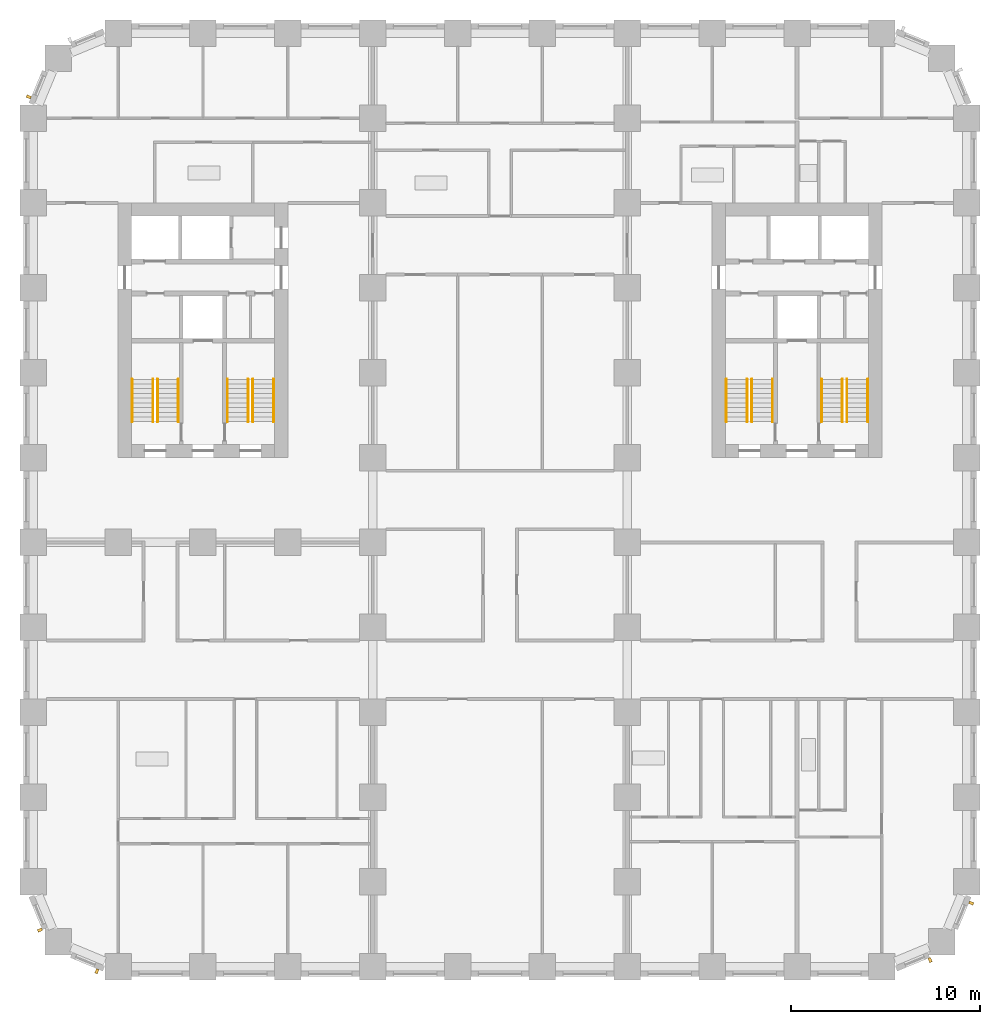
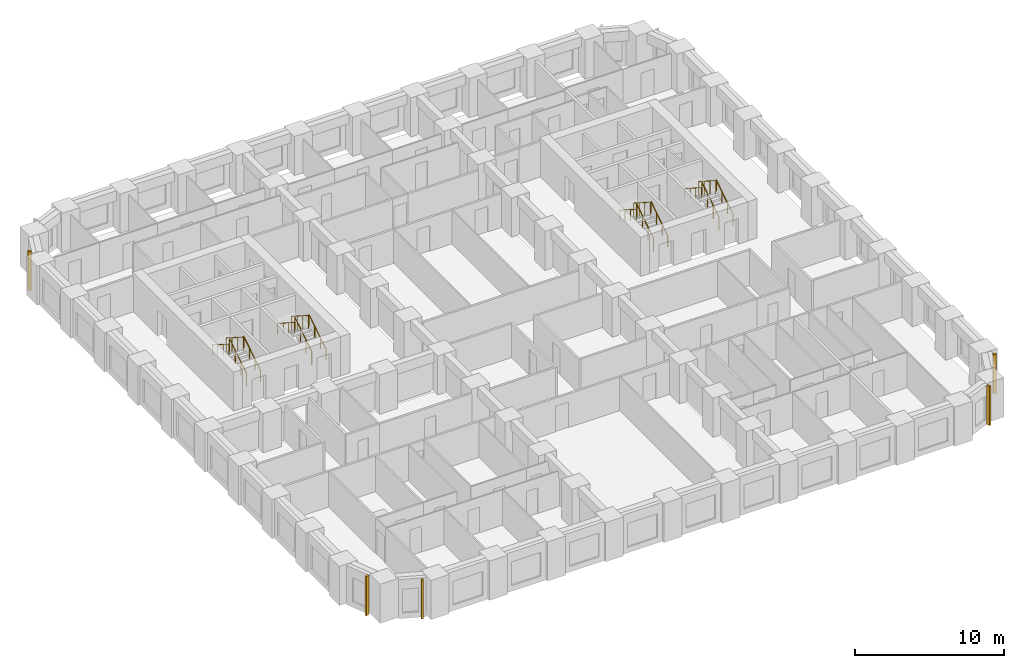
# One storey, part 11 of 13: 16 railings, 5 shading devices.
"""IFC4 building model written with IfcOpenShell, lengths in metres."""

from ifc_helpers import new_model, si_unit, direction, frame, origin, origin_2d, place, context, subcontext, project, spatial, rectangle, circle, extrude, material, type_object, element, save


model = new_model("IFC4")

# Units and contexts
model_context = context("Model", 3, precision=1e-05, world=origin(), true_north=direction((0.0, 1.0)))
body_context = subcontext(model_context, "Body", "Model", "MODEL_VIEW")
ifc_project = project(units=[si_unit("LENGTHUNIT", "METRE"), si_unit("AREAUNIT", "SQUARE_METRE"), si_unit("VOLUMEUNIT", "CUBIC_METRE"), si_unit("PLANEANGLEUNIT", "RADIAN"), si_unit("MASSUNIT", "GRAM", prefix="KILO")], contexts=[model_context])

# Site, building, storey
site_placement = place(None, origin())
site = spatial("IfcSite", under=ifc_project, at=site_placement, CompositionType="ELEMENT")
building_placement = place(site_placement, origin())
building = spatial("IfcBuilding", under=site, at=building_placement, Name="Girih Gate Residences", CompositionType="ELEMENT")
storey_placement = place(building_placement, frame((0.0, 0.0, 52.800048828125)))
storey = spatial("IfcBuildingStorey", under=building, at=storey_placement, Name="L13", CompositionType="ELEMENT", Elevation=52.800048828125)

# Shading devices
ifc_material_1 = material(Name="Precast concrete C50/60", Category="concrete")
shading_device_type = type_object("IfcShadingDeviceType", Name="Corner rib 150x250", PredefinedType="USERDEFINED", material=ifc_material_1)
for number, where, z_axis, x_axis, name in (
    (1, (0.35498046875, 1.9443359375, 0.0), (0.0, 0.0, 1.0), (0.382683432365, -0.923879532511, 0.0), "Corner rib SW0000_0045.0"),
    (2, (3.376220703125, -0.238037109375, 0.0), (0.0, 0.0, 1.0), (0.923879532511, -0.382683432365, 0.0), "Corner rib SW0013_0013.0"),
    (3, (47.5556640625, 0.35498046875, 0.0), (0.0, 0.0, 1.0), (0.923879532511, 0.382683432365, 0.0), "Corner rib SE0450_0000.0"),
    (4, (49.738037109375, 3.376220703125, 0.0), (0.0, 0.0, 1.0), (0.382683432365, 0.923879532511, 0.0), "Corner rib SE0482_0013.0"),
    (5, (-0.238037109375, 46.123779296875, 0.0), (0.0, 0.0, 1.0), (-0.382683432365, -0.923879532511, 0.0), "Corner rib NW0013_0482.0"),
):
    element("IfcShadingDevice", number, at=place(storey_placement, frame(where, z_axis=z_axis, x_axis=x_axis)), inside=storey, type_object=shading_device_type, Name=name, ObjectType="FIN", PredefinedType="USERDEFINED", context=body_context, shape_type="SweptSolid", body=[
        extrude(rectangle(XDim=0.14990234375, YDim=0.25, at=origin_2d()), origin(), (0.0, 0.0, 1.0), 3.199951171875),
    ])

# Railings
ifc_material_2 = material(Name="Stainless steel", Category="steel")
railing_type_1 = type_object("IfcRailingType", Name="Stair guard 1100", PredefinedType="GUARDRAIL", material=ifc_material_2)
railing_1_placement = place(storey_placement, frame((6.60009765625, 28.89990234375, 0.159912109375)))
element("IfcRailing", 6, at=railing_1_placement, inside=storey, type_object=railing_type_1, Name="L13 ST-W1 stair guard 1", PredefinedType="GUARDRAIL", context=body_context, shape_type="SweptSolid", body=[
    extrude(circle(Radius=0.02392578125, at=origin_2d()), frame((0.0, 0.0, 1.076171875), z_axis=(0.0, 0.842281359387, 0.539038135598), x_axis=(-1.0, 0.0, 0.0)), (0.0, 0.0, 1.0), 2.67138671875),
    extrude(circle(Radius=0.02099609375, at=origin_2d()), origin(), (0.0, 0.0, 1.0), 1.052001953125),
    extrude(circle(Radius=0.02099609375, at=origin_2d()), frame((0.0, 0.75, 0.47998046875)), (0.0, 0.0, 1.0), 1.052001953125),
    extrude(circle(Radius=0.02099609375, at=origin_2d()), frame((0.0, 1.5, 0.9599609375)), (0.0, 0.0, 1.0), 1.052001953125),
    extrude(circle(Radius=0.02099609375, at=origin_2d()), frame((0.0, 2.25, 1.43994140625)), (0.0, 0.0, 1.0), 1.052001953125),
])
railing_2_placement = place(storey_placement, frame((6.35009765625, 31.14990234375, 1.760009765625)))
element("IfcRailing", 7, at=railing_2_placement, inside=storey, type_object=railing_type_1, Name="L13 ST-W1 stair guard 2", PredefinedType="GUARDRAIL", context=body_context, shape_type="SweptSolid", body=[
    extrude(circle(Radius=0.02392578125, at=origin_2d()), frame((0.0, 0.0, 1.076171875), z_axis=(0.0, -0.842281359387, 0.539038135598), x_axis=(1.0, 0.0, 0.0)), (0.0, 0.0, 1.0), 2.67138671875),
    extrude(circle(Radius=0.02099609375, at=origin_2d()), origin(), (0.0, 0.0, 1.0), 1.052001953125),
    extrude(circle(Radius=0.02099609375, at=origin_2d()), frame((0.0, -0.75, 0.47998046875)), (0.0, 0.0, 1.0), 1.052001953125),
    extrude(circle(Radius=0.02099609375, at=origin_2d()), frame((0.0, -1.5, 0.9599609375)), (0.0, 0.0, 1.0), 1.052001953125),
    extrude(circle(Radius=0.02099609375, at=origin_2d()), frame((0.0, -2.25, 1.43994140625)), (0.0, 0.0, 1.0), 1.052001953125),
])
railing_3_placement = place(storey_placement, frame((11.64990234375, 28.89990234375, 0.159912109375)))
element("IfcRailing", 8, at=railing_3_placement, inside=storey, type_object=railing_type_1, Name="L13 ST-W2 stair guard 1", PredefinedType="GUARDRAIL", context=body_context, shape_type="SweptSolid", body=[
    extrude(circle(Radius=0.02392578125, at=origin_2d()), frame((0.0, 0.0, 1.076171875), z_axis=(0.0, 0.842281359387, 0.539038135598), x_axis=(-1.0, 0.0, 0.0)), (0.0, 0.0, 1.0), 2.67138671875),
    extrude(circle(Radius=0.02099609375, at=origin_2d()), origin(), (0.0, 0.0, 1.0), 1.052001953125),
    extrude(circle(Radius=0.02099609375, at=origin_2d()), frame((0.0, 0.75, 0.47998046875)), (0.0, 0.0, 1.0), 1.052001953125),
    extrude(circle(Radius=0.02099609375, at=origin_2d()), frame((0.0, 1.5, 0.9599609375)), (0.0, 0.0, 1.0), 1.052001953125),
    extrude(circle(Radius=0.02099609375, at=origin_2d()), frame((0.0, 2.25, 1.43994140625)), (0.0, 0.0, 1.0), 1.052001953125),
])
railing_4_placement = place(storey_placement, frame((11.39990234375, 31.14990234375, 1.760009765625)))
element("IfcRailing", 9, at=railing_4_placement, inside=storey, type_object=railing_type_1, Name="L13 ST-W2 stair guard 2", PredefinedType="GUARDRAIL", context=body_context, shape_type="SweptSolid", body=[
    extrude(circle(Radius=0.02392578125, at=origin_2d()), frame((0.0, 0.0, 1.076171875), z_axis=(0.0, -0.842281359387, 0.539038135598), x_axis=(1.0, 0.0, 0.0)), (0.0, 0.0, 1.0), 2.67138671875),
    extrude(circle(Radius=0.02099609375, at=origin_2d()), origin(), (0.0, 0.0, 1.0), 1.052001953125),
    extrude(circle(Radius=0.02099609375, at=origin_2d()), frame((0.0, -0.75, 0.47998046875)), (0.0, 0.0, 1.0), 1.052001953125),
    extrude(circle(Radius=0.02099609375, at=origin_2d()), frame((0.0, -1.5, 0.9599609375)), (0.0, 0.0, 1.0), 1.052001953125),
    extrude(circle(Radius=0.02099609375, at=origin_2d()), frame((0.0, -2.25, 1.43994140625)), (0.0, 0.0, 1.0), 1.052001953125),
])
railing_5_placement = place(storey_placement, frame((43.14990234375, 28.89990234375, 0.159912109375)))
element("IfcRailing", 10, at=railing_5_placement, inside=storey, type_object=railing_type_1, Name="L13 ST-E1 stair guard 1", PredefinedType="GUARDRAIL", context=body_context, shape_type="SweptSolid", body=[
    extrude(circle(Radius=0.02392578125, at=origin_2d()), frame((0.0, 0.0, 1.076171875), z_axis=(0.0, 0.842281359387, 0.539038135598), x_axis=(-1.0, 0.0, 0.0)), (0.0, 0.0, 1.0), 2.67138671875),
    extrude(circle(Radius=0.02099609375, at=origin_2d()), origin(), (0.0, 0.0, 1.0), 1.052001953125),
    extrude(circle(Radius=0.02099609375, at=origin_2d()), frame((0.0, 0.75, 0.47998046875)), (0.0, 0.0, 1.0), 1.052001953125),
    extrude(circle(Radius=0.02099609375, at=origin_2d()), frame((0.0, 1.5, 0.9599609375)), (0.0, 0.0, 1.0), 1.052001953125),
    extrude(circle(Radius=0.02099609375, at=origin_2d()), frame((0.0, 2.25, 1.43994140625)), (0.0, 0.0, 1.0), 1.052001953125),
])
railing_6_placement = place(storey_placement, frame((42.89990234375, 31.14990234375, 1.760009765625)))
element("IfcRailing", 11, at=railing_6_placement, inside=storey, type_object=railing_type_1, Name="L13 ST-E1 stair guard 2", PredefinedType="GUARDRAIL", context=body_context, shape_type="SweptSolid", body=[
    extrude(circle(Radius=0.02392578125, at=origin_2d()), frame((0.0, 0.0, 1.076171875), z_axis=(0.0, -0.842281359387, 0.539038135598), x_axis=(1.0, 0.0, 0.0)), (0.0, 0.0, 1.0), 2.67138671875),
    extrude(circle(Radius=0.02099609375, at=origin_2d()), origin(), (0.0, 0.0, 1.0), 1.052001953125),
    extrude(circle(Radius=0.02099609375, at=origin_2d()), frame((0.0, -0.75, 0.47998046875)), (0.0, 0.0, 1.0), 1.052001953125),
    extrude(circle(Radius=0.02099609375, at=origin_2d()), frame((0.0, -1.5, 0.9599609375)), (0.0, 0.0, 1.0), 1.052001953125),
    extrude(circle(Radius=0.02099609375, at=origin_2d()), frame((0.0, -2.25, 1.43994140625)), (0.0, 0.0, 1.0), 1.052001953125),
])
railing_7_placement = place(storey_placement, frame((38.10009765625, 28.89990234375, 0.159912109375)))
element("IfcRailing", 12, at=railing_7_placement, inside=storey, type_object=railing_type_1, Name="L13 ST-E2 stair guard 1", PredefinedType="GUARDRAIL", context=body_context, shape_type="SweptSolid", body=[
    extrude(circle(Radius=0.02392578125, at=origin_2d()), frame((0.0, 0.0, 1.076171875), z_axis=(0.0, 0.842281359387, 0.539038135598), x_axis=(-1.0, 0.0, 0.0)), (0.0, 0.0, 1.0), 2.67138671875),
    extrude(circle(Radius=0.02099609375, at=origin_2d()), origin(), (0.0, 0.0, 1.0), 1.052001953125),
    extrude(circle(Radius=0.02099609375, at=origin_2d()), frame((0.0, 0.75, 0.47998046875)), (0.0, 0.0, 1.0), 1.052001953125),
    extrude(circle(Radius=0.02099609375, at=origin_2d()), frame((0.0, 1.5, 0.9599609375)), (0.0, 0.0, 1.0), 1.052001953125),
    extrude(circle(Radius=0.02099609375, at=origin_2d()), frame((0.0, 2.25, 1.43994140625)), (0.0, 0.0, 1.0), 1.052001953125),
])
railing_8_placement = place(storey_placement, frame((37.85009765625, 31.14990234375, 1.760009765625)))
element("IfcRailing", 13, at=railing_8_placement, inside=storey, type_object=railing_type_1, Name="L13 ST-E2 stair guard 2", PredefinedType="GUARDRAIL", context=body_context, shape_type="SweptSolid", body=[
    extrude(circle(Radius=0.02392578125, at=origin_2d()), frame((0.0, 0.0, 1.076171875), z_axis=(0.0, -0.842281359387, 0.539038135598), x_axis=(1.0, 0.0, 0.0)), (0.0, 0.0, 1.0), 2.67138671875),
    extrude(circle(Radius=0.02099609375, at=origin_2d()), origin(), (0.0, 0.0, 1.0), 1.052001953125),
    extrude(circle(Radius=0.02099609375, at=origin_2d()), frame((0.0, -0.75, 0.47998046875)), (0.0, 0.0, 1.0), 1.052001953125),
    extrude(circle(Radius=0.02099609375, at=origin_2d()), frame((0.0, -1.5, 0.9599609375)), (0.0, 0.0, 1.0), 1.052001953125),
    extrude(circle(Radius=0.02099609375, at=origin_2d()), frame((0.0, -2.25, 1.43994140625)), (0.0, 0.0, 1.0), 1.052001953125),
])
railing_type_2 = type_object("IfcRailingType", Name="Stair handrail 900", PredefinedType="HANDRAIL", material=ifc_material_2)
railing_9_placement = place(storey_placement, frame((7.699951171875, 28.89990234375, 0.159912109375)))
element("IfcRailing", 14, at=railing_9_placement, inside=storey, type_object=railing_type_2, Name="L13 ST-W1 stair handrail 1", PredefinedType="HANDRAIL", context=body_context, shape_type="SweptSolid", body=[
    extrude(circle(Radius=0.02392578125, at=origin_2d()), frame((0.0, 0.0, 0.8857421875), z_axis=(0.0, 0.842281359387, 0.539038135598), x_axis=(-1.0, 0.0, 0.0)), (0.0, 0.0, 1.0), 2.67138671875),
    extrude(circle(Radius=0.02099609375, at=origin_2d()), origin(), (0.0, 0.0, 1.0), 0.86181640625),
    extrude(circle(Radius=0.02099609375, at=origin_2d()), frame((0.0, 0.75, 0.47998046875)), (0.0, 0.0, 1.0), 0.86181640625),
    extrude(circle(Radius=0.02099609375, at=origin_2d()), frame((0.0, 1.5, 0.9599609375)), (0.0, 0.0, 1.0), 0.86181640625),
    extrude(circle(Radius=0.02099609375, at=origin_2d()), frame((0.0, 2.25, 1.43994140625)), (0.0, 0.0, 1.0), 0.86181640625),
])
railing_10_placement = place(storey_placement, frame((5.25, 31.14990234375, 1.760009765625)))
element("IfcRailing", 15, at=railing_10_placement, inside=storey, type_object=railing_type_2, Name="L13 ST-W1 stair handrail 2", PredefinedType="HANDRAIL", context=body_context, shape_type="SweptSolid", body=[
    extrude(circle(Radius=0.02392578125, at=origin_2d()), frame((0.0, 0.0, 0.8857421875), z_axis=(0.0, -0.842281359387, 0.539038135598), x_axis=(1.0, 0.0, 0.0)), (0.0, 0.0, 1.0), 2.67138671875),
    extrude(circle(Radius=0.02099609375, at=origin_2d()), origin(), (0.0, 0.0, 1.0), 0.86181640625),
    extrude(circle(Radius=0.02099609375, at=origin_2d()), frame((0.0, -0.75, 0.47998046875)), (0.0, 0.0, 1.0), 0.86181640625),
    extrude(circle(Radius=0.02099609375, at=origin_2d()), frame((0.0, -1.5, 0.9599609375)), (0.0, 0.0, 1.0), 0.86181640625),
    extrude(circle(Radius=0.02099609375, at=origin_2d()), frame((0.0, -2.25, 1.43994140625)), (0.0, 0.0, 1.0), 0.86181640625),
])
railing_11_placement = place(storey_placement, frame((12.75, 28.89990234375, 0.159912109375)))
element("IfcRailing", 16, at=railing_11_placement, inside=storey, type_object=railing_type_2, Name="L13 ST-W2 stair handrail 1", PredefinedType="HANDRAIL", context=body_context, shape_type="SweptSolid", body=[
    extrude(circle(Radius=0.02392578125, at=origin_2d()), frame((0.0, 0.0, 0.8857421875), z_axis=(0.0, 0.842281359387, 0.539038135598), x_axis=(-1.0, 0.0, 0.0)), (0.0, 0.0, 1.0), 2.67138671875),
    extrude(circle(Radius=0.02099609375, at=origin_2d()), origin(), (0.0, 0.0, 1.0), 0.86181640625),
    extrude(circle(Radius=0.02099609375, at=origin_2d()), frame((0.0, 0.75, 0.47998046875)), (0.0, 0.0, 1.0), 0.86181640625),
    extrude(circle(Radius=0.02099609375, at=origin_2d()), frame((0.0, 1.5, 0.9599609375)), (0.0, 0.0, 1.0), 0.86181640625),
    extrude(circle(Radius=0.02099609375, at=origin_2d()), frame((0.0, 2.25, 1.43994140625)), (0.0, 0.0, 1.0), 0.86181640625),
])
railing_12_placement = place(storey_placement, frame((10.300048828125, 31.14990234375, 1.760009765625)))
element("IfcRailing", 17, at=railing_12_placement, inside=storey, type_object=railing_type_2, Name="L13 ST-W2 stair handrail 2", PredefinedType="HANDRAIL", context=body_context, shape_type="SweptSolid", body=[
    extrude(circle(Radius=0.02392578125, at=origin_2d()), frame((0.0, 0.0, 0.8857421875), z_axis=(0.0, -0.842281359387, 0.539038135598), x_axis=(1.0, 0.0, 0.0)), (0.0, 0.0, 1.0), 2.67138671875),
    extrude(circle(Radius=0.02099609375, at=origin_2d()), origin(), (0.0, 0.0, 1.0), 0.86181640625),
    extrude(circle(Radius=0.02099609375, at=origin_2d()), frame((0.0, -0.75, 0.47998046875)), (0.0, 0.0, 1.0), 0.86181640625),
    extrude(circle(Radius=0.02099609375, at=origin_2d()), frame((0.0, -1.5, 0.9599609375)), (0.0, 0.0, 1.0), 0.86181640625),
    extrude(circle(Radius=0.02099609375, at=origin_2d()), frame((0.0, -2.25, 1.43994140625)), (0.0, 0.0, 1.0), 0.86181640625),
])
railing_13_placement = place(storey_placement, frame((44.25, 28.89990234375, 0.159912109375)))
element("IfcRailing", 18, at=railing_13_placement, inside=storey, type_object=railing_type_2, Name="L13 ST-E1 stair handrail 1", PredefinedType="HANDRAIL", context=body_context, shape_type="SweptSolid", body=[
    extrude(circle(Radius=0.02392578125, at=origin_2d()), frame((0.0, 0.0, 0.8857421875), z_axis=(0.0, 0.842281359387, 0.539038135598), x_axis=(-1.0, 0.0, 0.0)), (0.0, 0.0, 1.0), 2.67138671875),
    extrude(circle(Radius=0.02099609375, at=origin_2d()), origin(), (0.0, 0.0, 1.0), 0.86181640625),
    extrude(circle(Radius=0.02099609375, at=origin_2d()), frame((0.0, 0.75, 0.47998046875)), (0.0, 0.0, 1.0), 0.86181640625),
    extrude(circle(Radius=0.02099609375, at=origin_2d()), frame((0.0, 1.5, 0.9599609375)), (0.0, 0.0, 1.0), 0.86181640625),
    extrude(circle(Radius=0.02099609375, at=origin_2d()), frame((0.0, 2.25, 1.43994140625)), (0.0, 0.0, 1.0), 0.86181640625),
])
railing_14_placement = place(storey_placement, frame((41.800048828125, 31.14990234375, 1.760009765625)))
element("IfcRailing", 19, at=railing_14_placement, inside=storey, type_object=railing_type_2, Name="L13 ST-E1 stair handrail 2", PredefinedType="HANDRAIL", context=body_context, shape_type="SweptSolid", body=[
    extrude(circle(Radius=0.02392578125, at=origin_2d()), frame((0.0, 0.0, 0.8857421875), z_axis=(0.0, -0.842281359387, 0.539038135598), x_axis=(1.0, 0.0, 0.0)), (0.0, 0.0, 1.0), 2.67138671875),
    extrude(circle(Radius=0.02099609375, at=origin_2d()), origin(), (0.0, 0.0, 1.0), 0.86181640625),
    extrude(circle(Radius=0.02099609375, at=origin_2d()), frame((0.0, -0.75, 0.47998046875)), (0.0, 0.0, 1.0), 0.86181640625),
    extrude(circle(Radius=0.02099609375, at=origin_2d()), frame((0.0, -1.5, 0.9599609375)), (0.0, 0.0, 1.0), 0.86181640625),
    extrude(circle(Radius=0.02099609375, at=origin_2d()), frame((0.0, -2.25, 1.43994140625)), (0.0, 0.0, 1.0), 0.86181640625),
])
railing_15_placement = place(storey_placement, frame((39.199951171875, 28.89990234375, 0.159912109375)))
element("IfcRailing", 20, at=railing_15_placement, inside=storey, type_object=railing_type_2, Name="L13 ST-E2 stair handrail 1", PredefinedType="HANDRAIL", context=body_context, shape_type="SweptSolid", body=[
    extrude(circle(Radius=0.02392578125, at=origin_2d()), frame((0.0, 0.0, 0.8857421875), z_axis=(0.0, 0.842281359387, 0.539038135598), x_axis=(-1.0, 0.0, 0.0)), (0.0, 0.0, 1.0), 2.67138671875),
    extrude(circle(Radius=0.02099609375, at=origin_2d()), origin(), (0.0, 0.0, 1.0), 0.86181640625),
    extrude(circle(Radius=0.02099609375, at=origin_2d()), frame((0.0, 0.75, 0.47998046875)), (0.0, 0.0, 1.0), 0.86181640625),
    extrude(circle(Radius=0.02099609375, at=origin_2d()), frame((0.0, 1.5, 0.9599609375)), (0.0, 0.0, 1.0), 0.86181640625),
    extrude(circle(Radius=0.02099609375, at=origin_2d()), frame((0.0, 2.25, 1.43994140625)), (0.0, 0.0, 1.0), 0.86181640625),
])
railing_16_placement = place(storey_placement, frame((36.75, 31.14990234375, 1.760009765625)))
element("IfcRailing", 21, at=railing_16_placement, inside=storey, type_object=railing_type_2, Name="L13 ST-E2 stair handrail 2", PredefinedType="HANDRAIL", context=body_context, shape_type="SweptSolid", body=[
    extrude(circle(Radius=0.02392578125, at=origin_2d()), frame((0.0, 0.0, 0.8857421875), z_axis=(0.0, -0.842281359387, 0.539038135598), x_axis=(1.0, 0.0, 0.0)), (0.0, 0.0, 1.0), 2.67138671875),
    extrude(circle(Radius=0.02099609375, at=origin_2d()), origin(), (0.0, 0.0, 1.0), 0.86181640625),
    extrude(circle(Radius=0.02099609375, at=origin_2d()), frame((0.0, -0.75, 0.47998046875)), (0.0, 0.0, 1.0), 0.86181640625),
    extrude(circle(Radius=0.02099609375, at=origin_2d()), frame((0.0, -1.5, 0.9599609375)), (0.0, 0.0, 1.0), 0.86181640625),
    extrude(circle(Radius=0.02099609375, at=origin_2d()), frame((0.0, -2.25, 1.43994140625)), (0.0, 0.0, 1.0), 0.86181640625),
])

save(model, "model.ifc")
